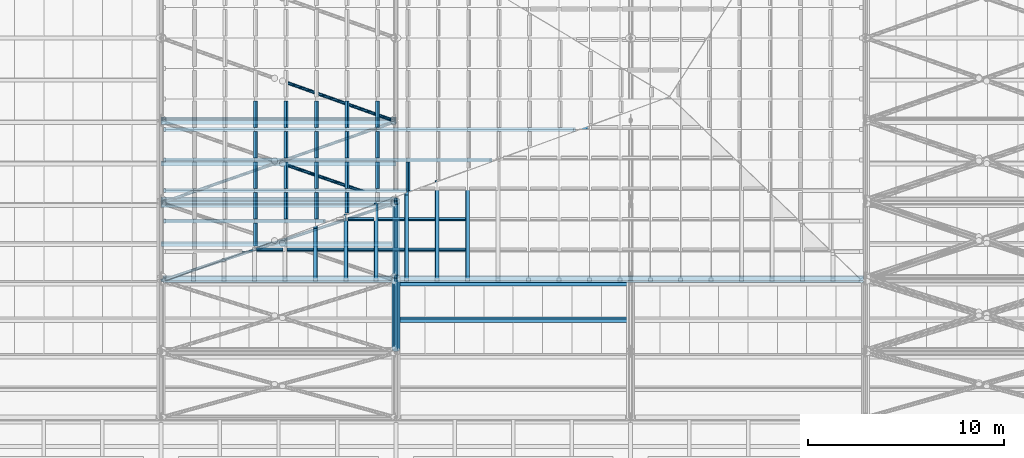
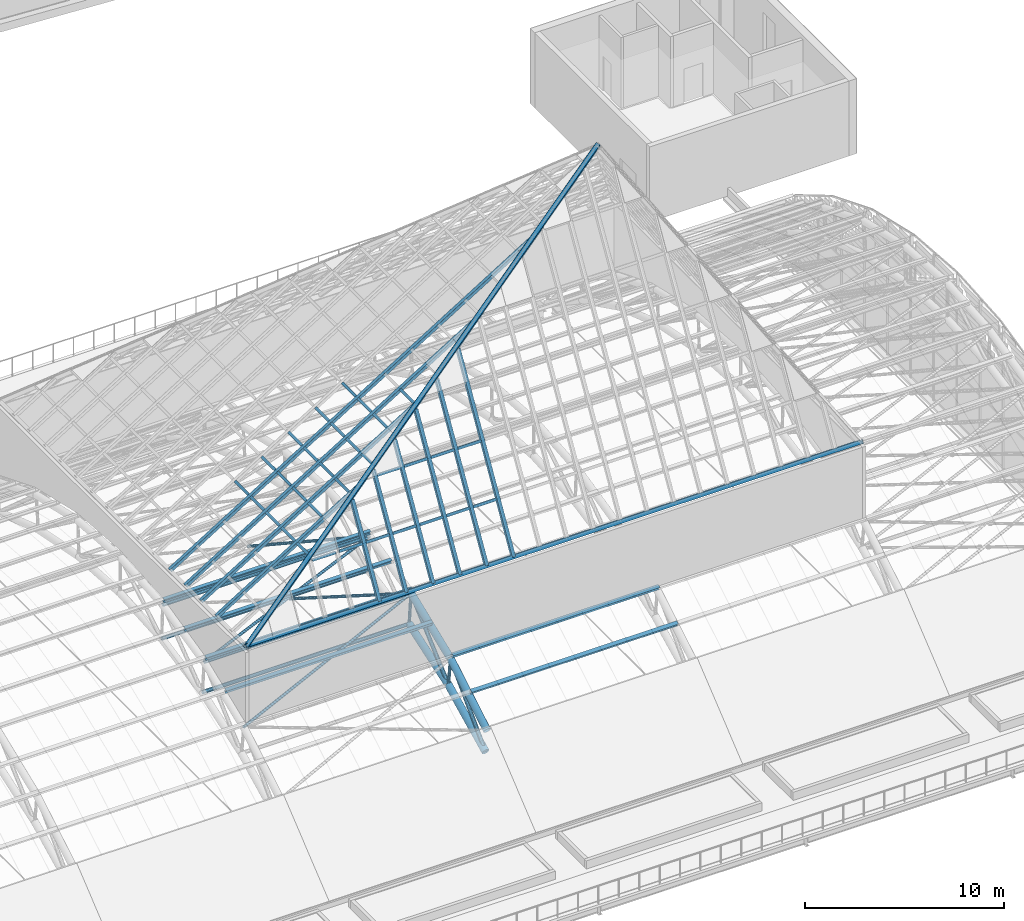
# One storey, part 7 of 110: 65 members, 1 beam.
"""IFC4 building model written with IfcOpenShell, lengths in metres."""

from ifc_helpers import new_model, si_unit, direction, frame, origin, origin_2d, place, context, subcontext, project, spatial, hollow_rectangle, hollow_circle, i_section, extrude, material, material_profile, profile_set, type_object, element, save


model = new_model("IFC4")

# Units and contexts
model_context = context("Model", 3, precision=1e-05, world=origin(), true_north=direction((0.0, 1.0)))
body_context = subcontext(model_context, "Body", "Model", "MODEL_VIEW")
ifc_project = project(units=[si_unit("LENGTHUNIT", "METRE"), si_unit("AREAUNIT", "SQUARE_METRE"), si_unit("VOLUMEUNIT", "CUBIC_METRE"), si_unit("PLANEANGLEUNIT", "RADIAN"), si_unit("MASSUNIT", "GRAM", prefix="KILO")], contexts=[model_context])

# Site, building, storey
site_placement = place(None, origin())
site = spatial("IfcSite", under=ifc_project, at=site_placement, CompositionType="ELEMENT")
building_placement = place(site_placement, origin())
building = spatial("IfcBuilding", under=site, at=building_placement, Name="Windward Yard Aquatics Centre", CompositionType="ELEMENT")
storey_placement = place(building_placement, frame((0.0, 0.0, 22.60009765625)))
storey = spatial("IfcBuildingStorey", under=building, at=storey_placement, Name="L05", CompositionType="ELEMENT", Elevation=22.60009765625)

# Members
ifc_material_1 = material(Name="Steel ASTM A500 Gr C", Category="steel")
ifc_material_profile_1 = material_profile(ifc_material_1, hollow_circle(Radius=0.084228515625, WallThickness=0.010986328125, at=origin_2d()), Name="HSS168.3X11")
ifc_profile_set_1 = profile_set([ifc_material_profile_1], Name="Steel ASTM A500 Gr C")
member_type_1 = type_object("IfcMemberType", Name="H arch post HSS168.3X11", PredefinedType="POST", material=ifc_profile_set_1)
member_1_placement = place(storey_placement, frame((108.0, 48.802734375, 4.16650390625), z_axis=(0.0, -0.121591772527, 0.992580193664), x_axis=(1.0, 0.0, 0.0)))
element("IfcMember", 1, at=member_1_placement, inside=storey, type_object=member_type_1, Name="H.AT.5.WP03", PredefinedType="POST", context=body_context, shape_type="SweptSolid", body=[
    extrude(hollow_circle(Radius=0.084228515625, WallThickness=0.010986328125, at=origin_2d()), origin(), (0.0, 0.0, 1.0), 1.746826171875),
])
member_2_placement = place(storey_placement, frame((108.0, 52.750244140625, 5.5087890625), z_axis=(0.0, -0.094018625473, 0.995570438525), x_axis=(1.0, 0.0, 0.0)))
element("IfcMember", 2, at=member_2_placement, inside=storey, type_object=member_type_1, Name="H.AT.5.WP04", PredefinedType="POST", context=body_context, shape_type="SweptSolid", body=[
    extrude(hollow_circle(Radius=0.084228515625, WallThickness=0.010986328125, at=origin_2d()), origin(), (0.0, 0.0, 1.0), 1.996826171875),
])
ifc_material_profile_2 = material_profile(ifc_material_1, hollow_circle(Radius=0.203125, WallThickness=0.015869140625, at=origin_2d()), Name="HSS406.4X15.9")
ifc_profile_set_2 = profile_set([ifc_material_profile_2], Name="Steel ASTM A500 Gr C")
member_type_2 = type_object("IfcMemberType", Name="H arch top chord HSS406.4X15.9", PredefinedType="CHORD", material=ifc_profile_set_2)
member_3_placement = place(storey_placement, frame((108.0, 44.907470703125, 3.7177734375), z_axis=(0.0, 0.860273006082, 0.509833654251), x_axis=(-1.0, 0.0, 0.0)))
element("IfcMember", 3, at=member_3_placement, inside=storey, type_object=member_type_2, Name="H.AT.5.TC02", PredefinedType="CHORD", context=body_context, shape_type="SweptSolid", body=[
    extrude(hollow_circle(Radius=0.203125, WallThickness=0.015869140625, at=origin_2d()), origin(), (0.0, 0.0, 1.0), 4.281005859375),
])
member_4_placement = place(storey_placement, frame((108.0, 45.064697265625, 2.319580078125), z_axis=(0.0, 0.896536837976, 0.4429691842), x_axis=(-1.0, 0.0, 0.0)))
element("IfcMember", 4, at=member_4_placement, inside=storey, type_object=member_type_2, Name="H.AT.5.BC02", PredefinedType="CHORD", context=body_context, shape_type="SweptSolid", body=[
    extrude(hollow_circle(Radius=0.203125, WallThickness=0.015869140625, at=origin_2d()), origin(), (0.0, 0.0, 1.0), 4.16943359375),
])
member_5_placement = place(storey_placement, frame((108.0, 48.59033203125, 5.900390625), z_axis=(0.0, 0.92786581708, 0.372914233429), x_axis=(-1.0, 0.0, 0.0)))
element("IfcMember", 5, at=member_5_placement, inside=storey, type_object=member_type_2, Name="H.AT.5.TC03", PredefinedType="CHORD", context=body_context, shape_type="SweptSolid", body=[
    extrude(hollow_circle(Radius=0.203125, WallThickness=0.015869140625, at=origin_2d()), origin(), (0.0, 0.0, 1.0), 4.281005859375),
])
member_6_placement = place(storey_placement, frame((108.0, 48.802734375, 4.16650390625), z_axis=(0.0, 0.946763107829, 0.321931075938), x_axis=(-1.0, 0.0, 0.0)))
element("IfcMember", 6, at=member_6_placement, inside=storey, type_object=member_type_2, Name="H.AT.5.BC03", PredefinedType="CHORD", context=body_context, shape_type="SweptSolid", body=[
    extrude(hollow_circle(Radius=0.203125, WallThickness=0.015869140625, at=origin_2d()), origin(), (0.0, 0.0, 1.0), 4.16943359375),
])
ifc_material_profile_3 = material_profile(ifc_material_1, hollow_circle(Radius=0.109619140625, WallThickness=0.00830078125, at=origin_2d()), Name="HSS219.1X8.2")
ifc_profile_set_3 = profile_set([ifc_material_profile_3], Name="Steel ASTM A500 Gr C")
member_type_3 = type_object("IfcMemberType", Name="H arch web diagonal HSS219.1X8.2", PredefinedType="BRACE", material=ifc_profile_set_3)
member_7_placement = place(storey_placement, frame((108.0, 45.064697265625, 2.319580078125), z_axis=(0.0, 0.701595524129, 0.712575413919), x_axis=(-1.0, 0.0, 0.0)))
element("IfcMember", 7, at=member_7_placement, inside=storey, type_object=member_type_3, Name="H.AT.5.WD02", PredefinedType="BRACE", context=body_context, shape_type="SweptSolid", body=[
    extrude(hollow_circle(Radius=0.109619140625, WallThickness=0.00830078125, at=origin_2d()), origin(), (0.0, 0.0, 1.0), 5.025146484375),
])
member_8_placement = place(storey_placement, frame((108.0, 48.802734375, 4.16650390625), z_axis=(0.0, 0.748564053538, 0.663062484047), x_axis=(-1.0, 0.0, 0.0)))
element("IfcMember", 8, at=member_8_placement, inside=storey, type_object=member_type_3, Name="H.AT.5.WD03", PredefinedType="BRACE", context=body_context, shape_type="SweptSolid", body=[
    extrude(hollow_circle(Radius=0.109619140625, WallThickness=0.00830078125, at=origin_2d()), origin(), (0.0, 0.0, 1.0), 5.022705078125),
])

# Beam
ifc_material_2 = material(Name="Steel ASTM A992 Gr 50", Category="steel")
ifc_material_profile_4 = material_profile(ifc_material_2, i_section(OverallWidth=0.202880859375, OverallDepth=0.302001953125, WebThickness=0.007568359375, FlangeThickness=0.01318359375, at=origin_2d()), Name="W310X60")
ifc_profile_set_4 = profile_set([ifc_material_profile_4], Name="Steel ASTM A992 Gr 50")
beam_type = type_object("IfcBeamType", Name="H lantern eave beam W310X60", PredefinedType="BEAM", material=ifc_profile_set_4)
beam_placement = place(storey_placement, frame((96.10009765625, 48.67138671875, 10.798828125), z_axis=(1.0, 0.0, 0.0), x_axis=(0.0, 0.51011965155, 0.860103447908)))
element("IfcBeam", 9, at=beam_placement, inside=storey, type_object=beam_type, Name="H.LN.E.01", PredefinedType="BEAM", context=body_context, shape_type="SweptSolid", body=[
    extrude(i_section(OverallWidth=0.202880859375, OverallDepth=0.302001953125, WebThickness=0.007568359375, FlangeThickness=0.01318359375, at=origin_2d()), origin(), (0.0, 0.0, 1.0), 35.7998046875),
])

# Members
ifc_material_profile_5 = material_profile(ifc_material_1, hollow_rectangle(XDim=0.25390625, YDim=0.25390625, WallThickness=0.015869140625, InnerFilletRadius=0.008056640625, OuterFilletRadius=0.02392578125, at=origin_2d()), Name="HSS254X254X15.9")
ifc_profile_set_5 = profile_set([ifc_material_profile_5], Name="Steel ASTM A500 Gr C")
member_type_4 = type_object("IfcMemberType", Name="H lantern hip HSS254X254X15.9", PredefinedType="BRACE", material=ifc_profile_set_5)
member_9_placement = place(storey_placement, frame((96.14892578125, 48.590576171875, 10.767822265625), z_axis=(0.812210288681, 0.297586879614, 0.501753421554), x_axis=(-0.493967481573, 0.808391672422, 0.320154698711)))
element("IfcMember", 10, at=member_9_placement, inside=storey, type_object=member_type_4, Name="H.LN.H.01", PredefinedType="BRACE", context=body_context, shape_type="SweptSolid", body=[
    extrude(hollow_rectangle(XDim=0.25390625, YDim=0.25390625, WallThickness=0.015869140625, InnerFilletRadius=0.008056640625, OuterFilletRadius=0.02392578125, at=origin_2d()), origin(), (0.0, 0.0, 1.0), 31.88818359375),
])
ifc_material_profile_6 = material_profile(ifc_material_1, hollow_rectangle(XDim=0.15234375, YDim=0.15234375, WallThickness=0.009521484375, InnerFilletRadius=0.004638671875, OuterFilletRadius=0.01416015625, at=origin_2d()), Name="HSS152X152X9.5")
ifc_profile_set_6 = profile_set([ifc_material_profile_6], Name="Steel ASTM A500 Gr C")
member_type_5 = type_object("IfcMemberType", Name="H lantern purlin HSS152X152X9.5", PredefinedType="PURLIN", material=ifc_profile_set_6)
member_10_placement = place(storey_placement, frame((111.563720703125, 50.168212890625, 13.46923828125), z_axis=(-1.0, 0.0, 0.0), x_axis=(0.0, -0.51011965155, -0.860103447908)))
element("IfcMember", 11, at=member_10_placement, inside=storey, type_object=member_type_5, Name="H.LN.U.01.01.13", PredefinedType="PURLIN", context=body_context, shape_type="SweptSolid", body=[
    extrude(hollow_rectangle(XDim=0.15234375, YDim=0.15234375, WallThickness=0.009521484375, InnerFilletRadius=0.004638671875, OuterFilletRadius=0.01416015625, at=origin_2d()), origin(), (0.0, 0.0, 1.0), 1.353515625),
])
for number, where, z_axis, x_axis, name in (
    (12, (110.007080078125, 50.168212890625, 13.46923828125), (-1.0, 0.0, 0.0), (0.0, -0.51011965155, -0.860103447908), "H.LN.U.01.01.14"),
    (13, (108.45068359375, 50.168212890625, 13.46923828125), (-1.0, 0.0, 0.0), (0.0, -0.51011965155, -0.860103447908), "H.LN.U.01.01.15"),
    (14, (106.89404296875, 50.168212890625, 13.46923828125), (-1.0, 0.0, 0.0), (0.0, -0.51011965155, -0.860103447908), "H.LN.U.01.01.16"),
    (15, (105.33740234375, 50.168212890625, 13.46923828125), (-1.0, 0.0, 0.0), (0.0, -0.51011965155, -0.860103447908), "H.LN.U.01.01.17"),
    (16, (103.781005859375, 50.168212890625, 13.46923828125), (-1.0, 0.0, 0.0), (0.0, -0.51011965155, -0.860103447908), "H.LN.U.01.01.18"),
):
    element("IfcMember", number, at=place(storey_placement, frame(where, z_axis=z_axis, x_axis=x_axis)), inside=storey, type_object=member_type_5, Name=name, PredefinedType="PURLIN", context=body_context, shape_type="SweptSolid", body=[
        extrude(hollow_rectangle(XDim=0.15234375, YDim=0.15234375, WallThickness=0.009521484375, InnerFilletRadius=0.004638671875, OuterFilletRadius=0.01416015625, at=origin_2d()), origin(), (0.0, 0.0, 1.0), 1.353271484375),
    ])
for number, where, z_axis, x_axis, name in (
    (17, (102.224609375, 50.168212890625, 13.46923828125), (-1.0, 0.0, 0.0), (0.0, -0.51011965155, -0.860103447908), "H.LN.U.01.01.19"),
    (18, (111.563720703125, 51.7294921875, 16.1015625), (-1.0, 0.0, 0.0), (0.0, -0.51011965155, -0.860103447908), "H.LN.U.01.02.12"),
):
    element("IfcMember", number, at=place(storey_placement, frame(where, z_axis=z_axis, x_axis=x_axis)), inside=storey, type_object=member_type_5, Name=name, PredefinedType="PURLIN", context=body_context, shape_type="SweptSolid", body=[
        extrude(hollow_rectangle(XDim=0.15234375, YDim=0.15234375, WallThickness=0.009521484375, InnerFilletRadius=0.004638671875, OuterFilletRadius=0.01416015625, at=origin_2d()), origin(), (0.0, 0.0, 1.0), 1.353515625),
    ])
for number, where, z_axis, x_axis, name in (
    (19, (110.007080078125, 51.7294921875, 16.1015625), (-1.0, 0.0, 0.0), (0.0, -0.51011965155, -0.860103447908), "H.LN.U.01.02.13"),
    (20, (108.45068359375, 51.7294921875, 16.1015625), (-1.0, 0.0, 0.0), (0.0, -0.51011965155, -0.860103447908), "H.LN.U.01.02.14"),
    (21, (106.89404296875, 51.7294921875, 16.1015625), (-1.0, 0.0, 0.0), (0.0, -0.51011965155, -0.860103447908), "H.LN.U.01.02.15"),
):
    element("IfcMember", number, at=place(storey_placement, frame(where, z_axis=z_axis, x_axis=x_axis)), inside=storey, type_object=member_type_5, Name=name, PredefinedType="PURLIN", context=body_context, shape_type="SweptSolid", body=[
        extrude(hollow_rectangle(XDim=0.15234375, YDim=0.15234375, WallThickness=0.009521484375, InnerFilletRadius=0.004638671875, OuterFilletRadius=0.01416015625, at=origin_2d()), origin(), (0.0, 0.0, 1.0), 1.353271484375),
    ])
member_11_placement = place(storey_placement, frame((100.82861328125, 50.350830078125, 13.68359375), z_axis=(0.0, 1.0, 0.0), x_axis=(-0.850755160219, 0.0, -0.525562229771)))
element("IfcMember", 22, at=member_11_placement, inside=storey, type_object=member_type_5, Name="H.LN.U.04.03.01", PredefinedType="PURLIN", context=body_context, shape_type="SweptSolid", body=[
    extrude(hollow_rectangle(XDim=0.15234375, YDim=0.15234375, WallThickness=0.009521484375, InnerFilletRadius=0.004638671875, OuterFilletRadius=0.01416015625, at=origin_2d()), origin(), (0.0, 0.0, 1.0), 1.180419921875),
])
member_12_placement = place(storey_placement, frame((100.82861328125, 51.734619140625, 13.68359375), z_axis=(0.0, 1.0, 0.0), x_axis=(-0.850755160219, 0.0, -0.525562229771)))
element("IfcMember", 23, at=member_12_placement, inside=storey, type_object=member_type_5, Name="H.LN.U.04.03.02", PredefinedType="PURLIN", context=body_context, shape_type="SweptSolid", body=[
    extrude(hollow_rectangle(XDim=0.15234375, YDim=0.15234375, WallThickness=0.009521484375, InnerFilletRadius=0.004638671875, OuterFilletRadius=0.01416015625, at=origin_2d()), origin(), (0.0, 0.0, 1.0), 1.35791015625),
])
member_13_placement = place(storey_placement, frame((100.82861328125, 53.295654296875, 13.68359375), z_axis=(0.0, 1.0, 0.0), x_axis=(-0.850755160219, 0.0, -0.525562229771)))
element("IfcMember", 24, at=member_13_placement, inside=storey, type_object=member_type_5, Name="H.LN.U.04.03.03", PredefinedType="PURLIN", context=body_context, shape_type="SweptSolid", body=[
    extrude(hollow_rectangle(XDim=0.15234375, YDim=0.15234375, WallThickness=0.009521484375, InnerFilletRadius=0.004638671875, OuterFilletRadius=0.01416015625, at=origin_2d()), origin(), (0.0, 0.0, 1.0), 1.358154296875),
])
member_14_placement = place(storey_placement, frame((100.82861328125, 54.85693359375, 13.68359375), z_axis=(0.0, 1.0, 0.0), x_axis=(-0.850755160219, 0.0, -0.525562229771)))
element("IfcMember", 25, at=member_14_placement, inside=storey, type_object=member_type_5, Name="H.LN.U.04.03.04", PredefinedType="PURLIN", context=body_context, shape_type="SweptSolid", body=[
    extrude(hollow_rectangle(XDim=0.15234375, YDim=0.15234375, WallThickness=0.009521484375, InnerFilletRadius=0.004638671875, OuterFilletRadius=0.01416015625, at=origin_2d()), origin(), (0.0, 0.0, 1.0), 1.35791015625),
])
member_15_placement = place(storey_placement, frame((100.82861328125, 56.418212890625, 13.68359375), z_axis=(0.0, 1.0, 0.0), x_axis=(-0.850755160219, 0.0, -0.525562229771)))
element("IfcMember", 26, at=member_15_placement, inside=storey, type_object=member_type_5, Name="H.LN.U.04.03.05", PredefinedType="PURLIN", context=body_context, shape_type="SweptSolid", body=[
    extrude(hollow_rectangle(XDim=0.15234375, YDim=0.15234375, WallThickness=0.009521484375, InnerFilletRadius=0.004638671875, OuterFilletRadius=0.01416015625, at=origin_2d()), origin(), (0.0, 0.0, 1.0), 1.357666015625),
])
member_16_placement = place(storey_placement, frame((102.385009765625, 51.734619140625, 14.64501953125), z_axis=(0.0, 1.0, 0.0), x_axis=(-0.850755160219, 0.0, -0.525562229771)))
element("IfcMember", 27, at=member_16_placement, inside=storey, type_object=member_type_5, Name="H.LN.U.04.04.02", PredefinedType="PURLIN", context=body_context, shape_type="SweptSolid", body=[
    extrude(hollow_rectangle(XDim=0.15234375, YDim=0.15234375, WallThickness=0.009521484375, InnerFilletRadius=0.004638671875, OuterFilletRadius=0.01416015625, at=origin_2d()), origin(), (0.0, 0.0, 1.0), 1.35791015625),
])
member_17_placement = place(storey_placement, frame((102.385009765625, 53.295654296875, 14.64501953125), z_axis=(0.0, 1.0, 0.0), x_axis=(-0.850755160219, 0.0, -0.525562229771)))
element("IfcMember", 28, at=member_17_placement, inside=storey, type_object=member_type_5, Name="H.LN.U.04.04.03", PredefinedType="PURLIN", context=body_context, shape_type="SweptSolid", body=[
    extrude(hollow_rectangle(XDim=0.15234375, YDim=0.15234375, WallThickness=0.009521484375, InnerFilletRadius=0.004638671875, OuterFilletRadius=0.01416015625, at=origin_2d()), origin(), (0.0, 0.0, 1.0), 1.358154296875),
])
member_18_placement = place(storey_placement, frame((102.385009765625, 54.85693359375, 14.64501953125), z_axis=(0.0, 1.0, 0.0), x_axis=(-0.850755160219, 0.0, -0.525562229771)))
element("IfcMember", 29, at=member_18_placement, inside=storey, type_object=member_type_5, Name="H.LN.U.04.04.04", PredefinedType="PURLIN", context=body_context, shape_type="SweptSolid", body=[
    extrude(hollow_rectangle(XDim=0.15234375, YDim=0.15234375, WallThickness=0.009521484375, InnerFilletRadius=0.004638671875, OuterFilletRadius=0.01416015625, at=origin_2d()), origin(), (0.0, 0.0, 1.0), 1.35791015625),
])
member_19_placement = place(storey_placement, frame((102.385009765625, 56.418212890625, 14.64501953125), z_axis=(0.0, 1.0, 0.0), x_axis=(-0.850755160219, 0.0, -0.525562229771)))
element("IfcMember", 30, at=member_19_placement, inside=storey, type_object=member_type_5, Name="H.LN.U.04.04.05", PredefinedType="PURLIN", context=body_context, shape_type="SweptSolid", body=[
    extrude(hollow_rectangle(XDim=0.15234375, YDim=0.15234375, WallThickness=0.009521484375, InnerFilletRadius=0.004638671875, OuterFilletRadius=0.01416015625, at=origin_2d()), origin(), (0.0, 0.0, 1.0), 1.357666015625),
])
member_20_placement = place(storey_placement, frame((103.941650390625, 51.734619140625, 15.606689453125), z_axis=(0.0, 1.0, 0.0), x_axis=(-0.850755160219, 0.0, -0.525562229771)))
element("IfcMember", 31, at=member_20_placement, inside=storey, type_object=member_type_5, Name="H.LN.U.04.05.02", PredefinedType="PURLIN", context=body_context, shape_type="SweptSolid", body=[
    extrude(hollow_rectangle(XDim=0.15234375, YDim=0.15234375, WallThickness=0.009521484375, InnerFilletRadius=0.004638671875, OuterFilletRadius=0.01416015625, at=origin_2d()), origin(), (0.0, 0.0, 1.0), 1.35791015625),
])
member_21_placement = place(storey_placement, frame((103.941650390625, 53.295654296875, 15.606689453125), z_axis=(0.0, 1.0, 0.0), x_axis=(-0.850755160219, 0.0, -0.525562229771)))
element("IfcMember", 32, at=member_21_placement, inside=storey, type_object=member_type_5, Name="H.LN.U.04.05.03", PredefinedType="PURLIN", context=body_context, shape_type="SweptSolid", body=[
    extrude(hollow_rectangle(XDim=0.15234375, YDim=0.15234375, WallThickness=0.009521484375, InnerFilletRadius=0.004638671875, OuterFilletRadius=0.01416015625, at=origin_2d()), origin(), (0.0, 0.0, 1.0), 1.358154296875),
])
member_22_placement = place(storey_placement, frame((103.941650390625, 54.85693359375, 15.606689453125), z_axis=(0.0, 1.0, 0.0), x_axis=(-0.850755160219, 0.0, -0.525562229771)))
element("IfcMember", 33, at=member_22_placement, inside=storey, type_object=member_type_5, Name="H.LN.U.04.05.04", PredefinedType="PURLIN", context=body_context, shape_type="SweptSolid", body=[
    extrude(hollow_rectangle(XDim=0.15234375, YDim=0.15234375, WallThickness=0.009521484375, InnerFilletRadius=0.004638671875, OuterFilletRadius=0.01416015625, at=origin_2d()), origin(), (0.0, 0.0, 1.0), 1.35791015625),
])
member_23_placement = place(storey_placement, frame((103.941650390625, 56.418212890625, 15.606689453125), z_axis=(0.0, 1.0, 0.0), x_axis=(-0.850755160219, 0.0, -0.525562229771)))
element("IfcMember", 34, at=member_23_placement, inside=storey, type_object=member_type_5, Name="H.LN.U.04.05.05", PredefinedType="PURLIN", context=body_context, shape_type="SweptSolid", body=[
    extrude(hollow_rectangle(XDim=0.15234375, YDim=0.15234375, WallThickness=0.009521484375, InnerFilletRadius=0.004638671875, OuterFilletRadius=0.01416015625, at=origin_2d()), origin(), (0.0, 0.0, 1.0), 1.357666015625),
])
member_24_placement = place(storey_placement, frame((105.498046875, 52.061767578125, 16.568115234375), z_axis=(0.0, 1.0, 0.0), x_axis=(-0.850755160219, 0.0, -0.525562229771)))
element("IfcMember", 35, at=member_24_placement, inside=storey, type_object=member_type_5, Name="H.LN.U.04.06.01", PredefinedType="PURLIN", context=body_context, shape_type="SweptSolid", body=[
    extrude(hollow_rectangle(XDim=0.15234375, YDim=0.15234375, WallThickness=0.009521484375, InnerFilletRadius=0.004638671875, OuterFilletRadius=0.01416015625, at=origin_2d()), origin(), (0.0, 0.0, 1.0), 1.03076171875),
])
member_25_placement = place(storey_placement, frame((105.498046875, 53.295654296875, 16.568115234375), z_axis=(0.0, 1.0, 0.0), x_axis=(-0.850755160219, 0.0, -0.525562229771)))
element("IfcMember", 36, at=member_25_placement, inside=storey, type_object=member_type_5, Name="H.LN.U.04.06.02", PredefinedType="PURLIN", context=body_context, shape_type="SweptSolid", body=[
    extrude(hollow_rectangle(XDim=0.15234375, YDim=0.15234375, WallThickness=0.009521484375, InnerFilletRadius=0.004638671875, OuterFilletRadius=0.01416015625, at=origin_2d()), origin(), (0.0, 0.0, 1.0), 1.358154296875),
])
member_26_placement = place(storey_placement, frame((105.498046875, 54.85693359375, 16.568115234375), z_axis=(0.0, 1.0, 0.0), x_axis=(-0.850755160219, 0.0, -0.525562229771)))
element("IfcMember", 37, at=member_26_placement, inside=storey, type_object=member_type_5, Name="H.LN.U.04.06.03", PredefinedType="PURLIN", context=body_context, shape_type="SweptSolid", body=[
    extrude(hollow_rectangle(XDim=0.15234375, YDim=0.15234375, WallThickness=0.009521484375, InnerFilletRadius=0.004638671875, OuterFilletRadius=0.01416015625, at=origin_2d()), origin(), (0.0, 0.0, 1.0), 1.35791015625),
])
member_27_placement = place(storey_placement, frame((105.498046875, 56.418212890625, 16.568115234375), z_axis=(0.0, 1.0, 0.0), x_axis=(-0.850755160219, 0.0, -0.525562229771)))
element("IfcMember", 38, at=member_27_placement, inside=storey, type_object=member_type_5, Name="H.LN.U.04.06.04", PredefinedType="PURLIN", context=body_context, shape_type="SweptSolid", body=[
    extrude(hollow_rectangle(XDim=0.15234375, YDim=0.15234375, WallThickness=0.009521484375, InnerFilletRadius=0.004638671875, OuterFilletRadius=0.01416015625, at=origin_2d()), origin(), (0.0, 0.0, 1.0), 1.357666015625),
])
member_28_placement = place(storey_placement, frame((107.0546875, 53.295654296875, 17.52978515625), z_axis=(0.0, 1.0, 0.0), x_axis=(-0.850755160219, 0.0, -0.525562229771)))
element("IfcMember", 39, at=member_28_placement, inside=storey, type_object=member_type_5, Name="H.LN.U.04.07.02", PredefinedType="PURLIN", context=body_context, shape_type="SweptSolid", body=[
    extrude(hollow_rectangle(XDim=0.15234375, YDim=0.15234375, WallThickness=0.009521484375, InnerFilletRadius=0.004638671875, OuterFilletRadius=0.01416015625, at=origin_2d()), origin(), (0.0, 0.0, 1.0), 1.358154296875),
])
member_29_placement = place(storey_placement, frame((107.0546875, 54.85693359375, 17.52978515625), z_axis=(0.0, 1.0, 0.0), x_axis=(-0.850755160219, 0.0, -0.525562229771)))
element("IfcMember", 40, at=member_29_placement, inside=storey, type_object=member_type_5, Name="H.LN.U.04.07.03", PredefinedType="PURLIN", context=body_context, shape_type="SweptSolid", body=[
    extrude(hollow_rectangle(XDim=0.15234375, YDim=0.15234375, WallThickness=0.009521484375, InnerFilletRadius=0.004638671875, OuterFilletRadius=0.01416015625, at=origin_2d()), origin(), (0.0, 0.0, 1.0), 1.35791015625),
])
member_30_placement = place(storey_placement, frame((107.0546875, 56.418212890625, 17.52978515625), z_axis=(0.0, 1.0, 0.0), x_axis=(-0.850755160219, 0.0, -0.525562229771)))
element("IfcMember", 41, at=member_30_placement, inside=storey, type_object=member_type_5, Name="H.LN.U.04.07.04", PredefinedType="PURLIN", context=body_context, shape_type="SweptSolid", body=[
    extrude(hollow_rectangle(XDim=0.15234375, YDim=0.15234375, WallThickness=0.009521484375, InnerFilletRadius=0.004638671875, OuterFilletRadius=0.01416015625, at=origin_2d()), origin(), (0.0, 0.0, 1.0), 1.357666015625),
])
member_31_placement = place(storey_placement, frame((108.611083984375, 53.202392578125, 18.4912109375), z_axis=(0.0, 1.0, 0.0), x_axis=(-0.850755160219, 0.0, -0.525562229771)))
element("IfcMember", 42, at=member_31_placement, inside=storey, type_object=member_type_5, Name="H.LN.U.04.08.01", PredefinedType="PURLIN", context=body_context, shape_type="SweptSolid", body=[
    extrude(hollow_rectangle(XDim=0.15234375, YDim=0.15234375, WallThickness=0.009521484375, InnerFilletRadius=0.004638671875, OuterFilletRadius=0.01416015625, at=origin_2d()), origin(), (0.0, 0.0, 1.0), 1.451416015625),
])
ifc_material_profile_7 = material_profile(ifc_material_1, hollow_rectangle(XDim=0.203125, YDim=0.203125, WallThickness=0.009521484375, InnerFilletRadius=0.004638671875, OuterFilletRadius=0.01416015625, at=origin_2d()), Name="HSS203X203X9.5")
ifc_profile_set_7 = profile_set([ifc_material_profile_7], Name="Steel ASTM A500 Gr C")
member_type_6 = type_object("IfcMemberType", Name="H lantern rafter HSS203X203X9.5", PredefinedType="RAFTER", material=ifc_profile_set_7)
member_32_placement = place(storey_placement, frame((111.665283203125, 48.62890625, 10.823974609375), z_axis=(0.0, 0.510125150305, 0.860100186622), x_axis=(-1.0, 0.0, 0.0)))
element("IfcMember", 43, at=member_32_placement, inside=storey, type_object=member_type_6, Name="H.LN.R.01.13", PredefinedType="RAFTER", context=body_context, shape_type="SweptSolid", body=[
    extrude(hollow_rectangle(XDim=0.203125, YDim=0.203125, WallThickness=0.009521484375, InnerFilletRadius=0.004638671875, OuterFilletRadius=0.01416015625, at=origin_2d()), origin(), (0.0, 0.0, 1.0), 10.92578125),
])
member_33_placement = place(storey_placement, frame((110.108642578125, 48.62890625, 10.823974609375), z_axis=(0.0, 0.51011827356, 0.86010426518), x_axis=(-1.0, 0.0, 0.0)))
element("IfcMember", 44, at=member_33_placement, inside=storey, type_object=member_type_6, Name="H.LN.R.01.14", PredefinedType="RAFTER", context=body_context, shape_type="SweptSolid", body=[
    extrude(hollow_rectangle(XDim=0.203125, YDim=0.203125, WallThickness=0.009521484375, InnerFilletRadius=0.004638671875, OuterFilletRadius=0.01416015625, at=origin_2d()), origin(), (0.0, 0.0, 1.0), 9.807861328125),
])
member_34_placement = place(storey_placement, frame((108.55224609375, 48.62890625, 10.823974609375), z_axis=(0.0, 0.510121954225, 0.860102082208), x_axis=(-1.0, 0.0, 0.0)))
element("IfcMember", 45, at=member_34_placement, inside=storey, type_object=member_type_6, Name="H.LN.R.01.15", PredefinedType="RAFTER", context=body_context, shape_type="SweptSolid", body=[
    extrude(hollow_rectangle(XDim=0.203125, YDim=0.203125, WallThickness=0.009521484375, InnerFilletRadius=0.004638671875, OuterFilletRadius=0.01416015625, at=origin_2d()), origin(), (0.0, 0.0, 1.0), 8.689697265625),
])
member_35_placement = place(storey_placement, frame((106.99560546875, 48.62890625, 10.823974609375), z_axis=(0.0, 0.510112574982, 0.860107644917), x_axis=(-1.0, 0.0, 0.0)))
element("IfcMember", 46, at=member_35_placement, inside=storey, type_object=member_type_6, Name="H.LN.R.01.16", PredefinedType="RAFTER", context=body_context, shape_type="SweptSolid", body=[
    extrude(hollow_rectangle(XDim=0.203125, YDim=0.203125, WallThickness=0.009521484375, InnerFilletRadius=0.004638671875, OuterFilletRadius=0.01416015625, at=origin_2d()), origin(), (0.0, 0.0, 1.0), 7.572021484375),
])
member_36_placement = place(storey_placement, frame((105.439208984375, 48.62890625, 10.823974609375), z_axis=(0.0, 0.510116543599, 0.860105291198), x_axis=(-1.0, 0.0, 0.0)))
element("IfcMember", 47, at=member_36_placement, inside=storey, type_object=member_type_6, Name="H.LN.R.01.17", PredefinedType="RAFTER", context=body_context, shape_type="SweptSolid", body=[
    extrude(hollow_rectangle(XDim=0.203125, YDim=0.203125, WallThickness=0.009521484375, InnerFilletRadius=0.004638671875, OuterFilletRadius=0.01416015625, at=origin_2d()), origin(), (0.0, 0.0, 1.0), 6.453857421875),
])
member_37_placement = place(storey_placement, frame((103.882568359375, 48.62890625, 10.823974609375), z_axis=(0.0, 0.510102100689, 0.860113856924), x_axis=(-1.0, 0.0, 0.0)))
element("IfcMember", 48, at=member_37_placement, inside=storey, type_object=member_type_6, Name="H.LN.R.01.18", PredefinedType="RAFTER", context=body_context, shape_type="SweptSolid", body=[
    extrude(hollow_rectangle(XDim=0.203125, YDim=0.203125, WallThickness=0.009521484375, InnerFilletRadius=0.004638671875, OuterFilletRadius=0.01416015625, at=origin_2d()), origin(), (0.0, 0.0, 1.0), 5.3359375),
])
member_38_placement = place(storey_placement, frame((96.17236328125, 51.6328125, 10.777099609375), z_axis=(0.850743826658, 0.0, 0.525580575558), x_axis=(0.0, 1.0, 0.0)))
element("IfcMember", 49, at=member_38_placement, inside=storey, type_object=member_type_6, Name="H.LN.R.04.02", PredefinedType="RAFTER", context=body_context, shape_type="SweptSolid", body=[
    extrude(hollow_rectangle(XDim=0.203125, YDim=0.203125, WallThickness=0.009521484375, InnerFilletRadius=0.004638671875, OuterFilletRadius=0.01416015625, at=origin_2d()), origin(), (0.0, 0.0, 1.0), 9.6015625),
])
member_39_placement = place(storey_placement, frame((96.17236328125, 53.194091796875, 10.777099609375), z_axis=(0.85074591558, 0.0, 0.525577194257), x_axis=(0.0, 1.0, 0.0)))
element("IfcMember", 50, at=member_39_placement, inside=storey, type_object=member_type_6, Name="H.LN.R.04.03", PredefinedType="RAFTER", context=body_context, shape_type="SweptSolid", body=[
    extrude(hollow_rectangle(XDim=0.203125, YDim=0.203125, WallThickness=0.009521484375, InnerFilletRadius=0.004638671875, OuterFilletRadius=0.01416015625, at=origin_2d()), origin(), (0.0, 0.0, 1.0), 14.610107421875),
])
member_40_placement = place(storey_placement, frame((96.17236328125, 54.75537109375, 10.777099609375), z_axis=(0.85075250218, 0.0, 0.525566532452), x_axis=(0.0, 1.0, 0.0)))
element("IfcMember", 51, at=member_40_placement, inside=storey, type_object=member_type_6, Name="H.LN.R.04.04", PredefinedType="RAFTER", context=body_context, shape_type="SweptSolid", body=[
    extrude(hollow_rectangle(XDim=0.203125, YDim=0.203125, WallThickness=0.009521484375, InnerFilletRadius=0.004638671875, OuterFilletRadius=0.01416015625, at=origin_2d()), origin(), (0.0, 0.0, 1.0), 19.618408203125),
])
member_41_placement = place(storey_placement, frame((96.17236328125, 56.31640625, 10.777099609375), z_axis=(0.850751977053, 0.0, 0.525567382493), x_axis=(0.0, 1.0, 0.0)))
element("IfcMember", 52, at=member_41_placement, inside=storey, type_object=member_type_6, Name="H.LN.R.04.05", PredefinedType="RAFTER", context=body_context, shape_type="SweptSolid", body=[
    extrude(hollow_rectangle(XDim=0.203125, YDim=0.203125, WallThickness=0.009521484375, InnerFilletRadius=0.004638671875, OuterFilletRadius=0.01416015625, at=origin_2d()), origin(), (0.0, 0.0, 1.0), 24.626953125),
])
ifc_material_profile_8 = material_profile(ifc_material_1, hollow_circle(Radius=0.084228515625, WallThickness=0.007080078125, at=origin_2d()), Name="HSS168.3X7.1")
ifc_profile_set_8 = profile_set([ifc_material_profile_8], Name="Steel ASTM A500 Gr C")
member_type_7 = type_object("IfcMemberType", Name="H roof brace HSS168.3X7.1", PredefinedType="BRACE", material=ifc_profile_set_8)
for number, where, z_axis, x_axis, name in (
    (53, (96.0, 48.59033203125, 5.900390625), (0.941859739241, 0.311768757272, 0.125301530658), (-0.314245417859, 0.949341781107, 0.0), "H.RB.4.T03A"),
    (54, (96.0, 52.5625, 7.496826171875), (0.941859984788, 0.327213564051, 0.076361328926), (-0.32817175629, 0.944618070108, 0.0), "H.RB.4.T04A"),
):
    element("IfcMember", number, at=place(storey_placement, frame(where, z_axis=z_axis, x_axis=x_axis)), inside=storey, type_object=member_type_7, Name=name, PredefinedType="BRACE", context=body_context, shape_type="SweptSolid", body=[
        extrude(hollow_circle(Radius=0.084228515625, WallThickness=0.007080078125, at=origin_2d()), origin(), (0.0, 0.0, 1.0), 12.74072265625),
    ])
for number, where, z_axis, x_axis, name in (
    (55, (102.1064453125, 54.610107421875, 7.974609375), (0.941854737477, -0.327230144292, -0.07635500088), (0.328188225573, 0.944612348318, 0.0), "H.RB.4.T04B2"),
    (56, (102.1064453125, 58.827880859375, 8.63037109375), (0.941856232178, -0.335033946384, -0.025672800363), (0.335144410202, 0.942166770965, 0.0), "H.RB.4.T05B2"),
):
    element("IfcMember", number, at=place(storey_placement, frame(where, z_axis=z_axis, x_axis=x_axis)), inside=storey, type_object=member_type_7, Name=name, PredefinedType="BRACE", context=body_context, shape_type="SweptSolid", body=[
        extrude(hollow_circle(Radius=0.084228515625, WallThickness=0.007080078125, at=origin_2d()), origin(), (0.0, 0.0, 1.0), 6.25732421875),
    ])
ifc_material_profile_9 = material_profile(ifc_material_2, i_section(OverallWidth=0.202880859375, OverallDepth=0.202880859375, WebThickness=0.00732421875, FlangeThickness=0.010986328125, at=origin_2d()), Name="W200X46.1")
ifc_profile_set_9 = profile_set([ifc_material_profile_9], Name="Steel ASTM A992 Gr 50")
member_type_8 = type_object("IfcMemberType", Name="H roof purlin W200X46.1", PredefinedType="PURLIN", material=ifc_profile_set_9)
for number, where, z_axis, x_axis, name in (
    (57, (96.0, 50.462890625, 6.9814453125), (1.0, 0.0, 0.0), (0.0, 0.927868526784, 0.372907491214), "H.PU.4.06"),
    (58, (96.0, 52.470947265625, 7.787353515625), (1.0, 0.0, 0.0), (0.0, 0.953632764452, 0.300972674115), "H.PU.4.07"),
    (59, (96.0, 54.577880859375, 8.280029296875), (1.0, 0.0, 0.0), (0.0, 0.973829299376, 0.227280653986), "H.PU.4.08"),
    (60, (96.0, 56.68505859375, 8.77099609375), (1.0, 0.0, 0.0), (0.0, 0.988340215831, 0.152261675321), "H.PU.4.09"),
    (61, (108.0, 46.593505859375, 5.0712890625), (1.0, 0.0, 0.0), (0.0, 0.860270260664, 0.509838286732), "H.PU.5.04"),
    (62, (108.0, 48.45556640625, 6.173583984375), (1.0, 0.0, 0.0), (0.0, 0.896687008655, 0.44266512005), "H.PU.5.05"),
):
    element("IfcMember", number, at=place(storey_placement, frame(where, z_axis=z_axis, x_axis=x_axis)), inside=storey, type_object=member_type_8, Name=name, PredefinedType="PURLIN", context=body_context, shape_type="SweptSolid", body=[
        extrude(i_section(OverallWidth=0.202880859375, OverallDepth=0.202880859375, WebThickness=0.00732421875, FlangeThickness=0.010986328125, at=origin_2d()), origin(), (0.0, 0.0, 1.0), 12.0),
    ])
ifc_material_profile_10 = material_profile(ifc_material_1, hollow_circle(Radius=0.109619140625, WallThickness=0.00830078125, at=origin_2d()), Name="HSS219.1X8.2")
ifc_profile_set_10 = profile_set([ifc_material_profile_10], Name="Steel ASTM A500 Gr C")
member_type_9 = type_object("IfcMemberType", Name="H roof strut HSS219.1X8.2", PredefinedType="STRUT", material=ifc_profile_set_10)
for number, where, z_axis, x_axis, name in (
    (63, (96.0, 52.5625, 7.496826171875), (1.0, 0.0, 0.0), (0.0, 1.0, 0.0), "H.RS.4.T04"),
    (64, (96.0, 56.7314453125, 8.4697265625), (1.0, 0.0, 0.0), (0.0, 1.0, 0.0), "H.RS.4.T05"),
    (65, (96.0, 52.750244140625, 5.5087890625), (1.0, 0.0, 0.0), (0.0, 1.0, 0.0), "H.RS.4.B04"),
    (66, (96.0, 56.83935546875, 6.323486328125), (1.0, 0.0, 0.0), (0.0, 1.0, 0.0), "H.RS.4.B05"),
):
    element("IfcMember", number, at=place(storey_placement, frame(where, z_axis=z_axis, x_axis=x_axis)), inside=storey, type_object=member_type_9, Name=name, PredefinedType="STRUT", context=body_context, shape_type="SweptSolid", body=[
        extrude(hollow_circle(Radius=0.109619140625, WallThickness=0.00830078125, at=origin_2d()), origin(), (0.0, 0.0, 1.0), 12.0),
    ])

save(model, "model.ifc")
